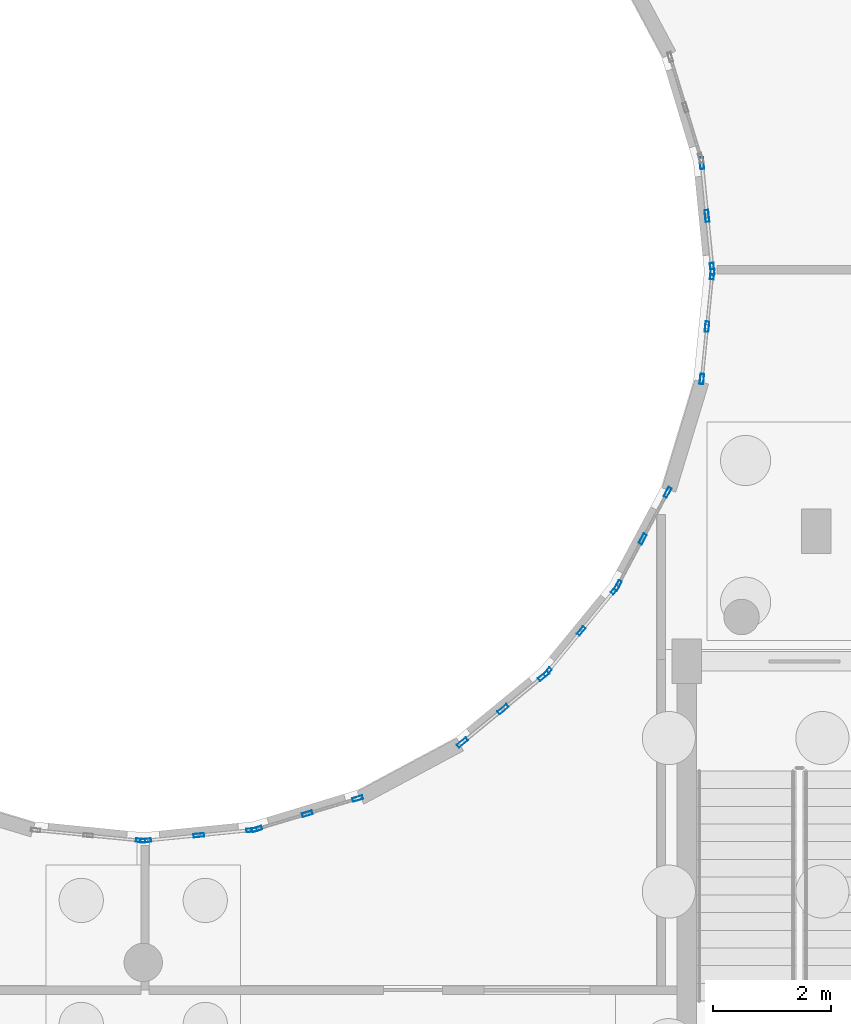
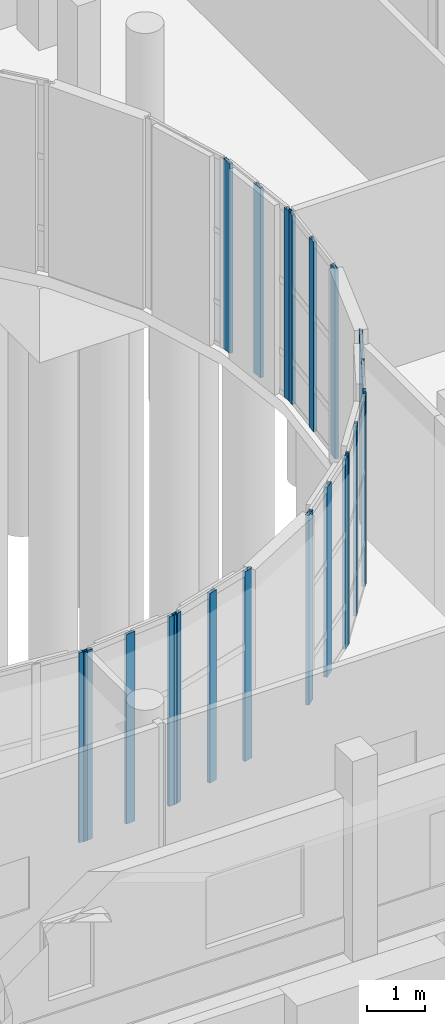
# One storey, part 33 of 93: 22 members, 8 elements without a shape of their own.
"""IFC4 building model written with IfcOpenShell, lengths in metres."""

from ifc_helpers import new_model, si_unit, direction, frame, origin, origin_2d, place, context, subcontext, project, spatial, hollow_rectangle, extrude, material, layer, layer_set, material_profile, profile_set, type_object, element, aggregate, save


model = new_model("IFC4")

# Units and contexts
model_context = context("Model", 3, precision=1e-05, world=origin(), true_north=direction((0.0, 1.0)))
body_context = subcontext(model_context, "Body", "Model", "MODEL_VIEW")
ifc_project = project(units=[si_unit("LENGTHUNIT", "METRE"), si_unit("AREAUNIT", "SQUARE_METRE"), si_unit("VOLUMEUNIT", "CUBIC_METRE"), si_unit("PLANEANGLEUNIT", "RADIAN"), si_unit("MASSUNIT", "GRAM", prefix="KILO")], contexts=[model_context])

# Site, building, storey
site_placement = place(None, origin())
site = spatial("IfcSite", under=ifc_project, at=site_placement, CompositionType="ELEMENT")
building_placement = place(site_placement, origin())
building = spatial("IfcBuilding", under=site, at=building_placement, Name="Kelanivale Promenade Academy", CompositionType="ELEMENT")
storey_placement = place(building_placement, origin())
storey = spatial("IfcBuildingStorey", under=building, at=storey_placement, Name="L00", CompositionType="ELEMENT", Elevation=0.0)

# Curtain wall, member
ifc_material_1 = material(Name="Bronze anodised aluminium and solar-control low-E glass", Category="aluminium")
ifc_layer_1 = layer(ifc_material_1, 0.179931640625)
ifc_layer_set_1 = layer_set([ifc_layer_1], Name="Bronze anodised aluminium and solar-control low-E glass")
curtain_wall_type_1 = type_object("IfcCurtainWallType", Name="CW-17 Curtain Wall 1950mm Module", PredefinedType="USERDEFINED", material=ifc_layer_set_1)
curtain_wall_1_placement = place(storey_placement, origin())
curtain_wall_1 = element("IfcCurtainWall", 1, at=curtain_wall_1_placement, inside=storey, type_object=curtain_wall_type_1, Name="L00 courtyard curtain wall CW-17", ObjectType="COURTYARD SCREEN GLAZING", PredefinedType="USERDEFINED")
ifc_material_2 = material(Name="Bronze anodised aluminium EN AW-6063 T6", Category="aluminium")
ifc_material_profile_1 = material_profile(ifc_material_2, hollow_rectangle(XDim=0.06005859375, YDim=0.159912109375, WallThickness=0.00390625, at=origin_2d()), Name="ALU 60x160x4.0")
ifc_profile_set_1 = profile_set([ifc_material_profile_1], Name="Bronze anodised aluminium EN AW-6063 T6")
member_type_1 = type_object("IfcMemberType", Name="CWM-01 ALU 60x160x4.0", PredefinedType="MULLION", material=ifc_profile_set_1)
member_1_placement = place(storey_placement, frame((98.756103515625, 47.1640625, 0.0), z_axis=(0.0, 0.0, 1.0), x_axis=(0.098538762159, 0.99513321337, 0.0)))
member_1 = element("IfcMember", 2, at=member_1_placement, type_object=member_type_1, Name="CW-17 mullion 3", PredefinedType="MULLION", context=body_context, shape_type="SweptSolid", body=[
    extrude(hollow_rectangle(XDim=0.06005859375, YDim=0.159912109375, WallThickness=0.00390625, at=origin_2d()), origin(), (0.0, 0.0, 1.0), 3.97998046875),
])
aggregate(curtain_wall_1, [member_1])

# Curtain wall, members
ifc_layer_2 = layer(ifc_material_1, 0.159912109375)
ifc_layer_set_2 = layer_set([ifc_layer_2], Name="Bronze anodised aluminium and solar-control low-E glass")
curtain_wall_type_2 = type_object("IfcCurtainWallType", Name="CW-21 Curtain Wall 1650mm Module", PredefinedType="USERDEFINED", material=ifc_layer_set_2)
curtain_wall_2_placement = place(storey_placement, origin())
curtain_wall_2 = element("IfcCurtainWall", 3, at=curtain_wall_2_placement, inside=storey, type_object=curtain_wall_type_2, Name="L00 courtyard curtain wall CW-21", ObjectType="COURTYARD SCREEN GLAZING", PredefinedType="USERDEFINED")
member_2_placement = place(storey_placement, frame((105.64501953125, 50.01611328125, 0.0), z_axis=(0.0, 0.0, 1.0), x_axis=(-0.773215132597, 0.634143799719, 0.0)))
member_2 = element("IfcMember", 4, at=member_2_placement, type_object=member_type_1, Name="CW-21 mullion 1", PredefinedType="MULLION", context=body_context, shape_type="SweptSolid", body=[
    extrude(hollow_rectangle(XDim=0.06005859375, YDim=0.159912109375, WallThickness=0.00390625, at=origin_2d()), origin(), (0.0, 0.0, 1.0), 3.97998046875),
])
member_3_placement = place(storey_placement, frame((106.216552734375, 50.712890625, 0.0), z_axis=(0.0, 0.0, 1.0), x_axis=(-0.773215132597, 0.634143799719, 0.0)))
member_3 = element("IfcMember", 5, at=member_3_placement, type_object=member_type_1, Name="CW-21 mullion 2", PredefinedType="MULLION", context=body_context, shape_type="SweptSolid", body=[
    extrude(hollow_rectangle(XDim=0.06005859375, YDim=0.159912109375, WallThickness=0.00390625, at=origin_2d()), origin(), (0.0, 0.0, 1.0), 3.97998046875),
])
member_4_placement = place(storey_placement, frame((106.7880859375, 51.409912109375, 0.0), z_axis=(0.0, 0.0, 1.0), x_axis=(-0.773215132597, 0.634143799719, 0.0)))
member_4 = element("IfcMember", 6, at=member_4_placement, type_object=member_type_1, Name="CW-21 mullion 3", PredefinedType="MULLION", context=body_context, shape_type="SweptSolid", body=[
    extrude(hollow_rectangle(XDim=0.06005859375, YDim=0.159912109375, WallThickness=0.00390625, at=origin_2d()), origin(), (0.0, 0.0, 1.0), 3.97998046875),
])
aggregate(curtain_wall_2, [member_2, member_3, member_4])

ifc_layer_3 = layer(ifc_material_1, 0.159912109375)
ifc_layer_set_3 = layer_set([ifc_layer_3], Name="Bronze anodised aluminium and solar-control low-E glass")
curtain_wall_type_3 = type_object("IfcCurtainWallType", Name="CW-18 Curtain Wall 1200mm Module", PredefinedType="USERDEFINED", material=ifc_layer_set_3)
curtain_wall_3_placement = place(storey_placement, origin())
curtain_wall_3 = element("IfcCurtainWall", 7, at=curtain_wall_3_placement, inside=storey, type_object=curtain_wall_type_3, Name="L00 courtyard curtain wall CW-18", ObjectType="COURTYARD SCREEN GLAZING", PredefinedType="USERDEFINED")
ifc_material_profile_2 = material_profile(ifc_material_2, hollow_rectangle(XDim=0.06005859375, YDim=0.179931640625, WallThickness=0.00390625, at=origin_2d()), Name="ALU 60x180x4.0")
ifc_profile_set_2 = profile_set([ifc_material_profile_2], Name="Bronze anodised aluminium EN AW-6063 T6")
member_type_2 = type_object("IfcMemberType", Name="CWM-02 ALU 60x180x4.0", PredefinedType="MULLION", material=ifc_profile_set_2)
member_5_placement = place(storey_placement, frame((98.84375, 47.1640625, 0.0), z_axis=(0.0, 0.0, 1.0), x_axis=(-0.098280652454, 0.995158737767, 0.0)))
member_5 = element("IfcMember", 8, at=member_5_placement, type_object=member_type_2, Name="CW-18 mullion 1", PredefinedType="MULLION", context=body_context, shape_type="SweptSolid", body=[
    extrude(hollow_rectangle(XDim=0.06005859375, YDim=0.179931640625, WallThickness=0.00390625, at=origin_2d()), origin(), (0.0, 0.0, 1.0), 3.97998046875),
])
member_6_placement = place(storey_placement, frame((99.740478515625, 47.25244140625, 0.0), z_axis=(0.0, 0.0, 1.0), x_axis=(-0.098280652454, 0.995158737767, 0.0)))
member_6 = element("IfcMember", 9, at=member_6_placement, type_object=member_type_2, Name="CW-18 mullion 2", PredefinedType="MULLION", context=body_context, shape_type="SweptSolid", body=[
    extrude(hollow_rectangle(XDim=0.06005859375, YDim=0.179931640625, WallThickness=0.00390625, at=origin_2d()), origin(), (0.0, 0.0, 1.0), 3.97998046875),
])
member_7_placement = place(storey_placement, frame((100.63720703125, 47.341064453125, 0.0), z_axis=(0.0, 0.0, 1.0), x_axis=(-0.098280652454, 0.995158737767, 0.0)))
member_7 = element("IfcMember", 10, at=member_7_placement, type_object=member_type_2, Name="CW-18 mullion 3", PredefinedType="MULLION", context=body_context, shape_type="SweptSolid", body=[
    extrude(hollow_rectangle(XDim=0.06005859375, YDim=0.179931640625, WallThickness=0.00390625, at=origin_2d()), origin(), (0.0, 0.0, 1.0), 3.97998046875),
])
aggregate(curtain_wall_3, [member_5, member_6, member_7])

ifc_layer_4 = layer(ifc_material_1, 0.169921875)
ifc_layer_set_4 = layer_set([ifc_layer_4], Name="Bronze anodised aluminium and solar-control low-E glass")
curtain_wall_type_4 = type_object("IfcCurtainWallType", Name="CW-22 Curtain Wall 1800mm Module", PredefinedType="USERDEFINED", material=ifc_layer_set_4)
curtain_wall_4_placement = place(storey_placement, origin())
curtain_wall_4 = element("IfcCurtainWall", 11, at=curtain_wall_4_placement, inside=storey, type_object=curtain_wall_type_4, Name="L00 courtyard curtain wall CW-22", ObjectType="COURTYARD SCREEN GLAZING", PredefinedType="USERDEFINED")
member_8_placement = place(storey_placement, frame((106.836181640625, 51.482421875, 0.0), z_axis=(0.0, 0.0, 1.0), x_axis=(-0.881978204448, 0.471290193914, 0.0)))
member_8 = element("IfcMember", 12, at=member_8_placement, type_object=member_type_2, Name="CW-22 mullion 1", PredefinedType="MULLION", context=body_context, shape_type="SweptSolid", body=[
    extrude(hollow_rectangle(XDim=0.06005859375, YDim=0.179931640625, WallThickness=0.00390625, at=origin_2d()), origin(), (0.0, 0.0, 1.0), 3.97998046875),
])
member_9_placement = place(storey_placement, frame((107.257568359375, 52.27099609375, 0.0), z_axis=(0.0, 0.0, 1.0), x_axis=(-0.881978204448, 0.471290193914, 0.0)))
member_9 = element("IfcMember", 13, at=member_9_placement, type_object=member_type_2, Name="CW-22 mullion 2", PredefinedType="MULLION", context=body_context, shape_type="SweptSolid", body=[
    extrude(hollow_rectangle(XDim=0.06005859375, YDim=0.179931640625, WallThickness=0.00390625, at=origin_2d()), origin(), (0.0, 0.0, 1.0), 3.97998046875),
])
member_10_placement = place(storey_placement, frame((107.678955078125, 53.0595703125, 0.0), z_axis=(0.0, 0.0, 1.0), x_axis=(-0.881978204448, 0.471290193914, 0.0)))
member_10 = element("IfcMember", 14, at=member_10_placement, type_object=member_type_2, Name="CW-22 mullion 3", PredefinedType="MULLION", context=body_context, shape_type="SweptSolid", body=[
    extrude(hollow_rectangle(XDim=0.06005859375, YDim=0.179931640625, WallThickness=0.00390625, at=origin_2d()), origin(), (0.0, 0.0, 1.0), 3.97998046875),
])
aggregate(curtain_wall_4, [member_8, member_9, member_10])

ifc_layer_5 = layer(ifc_material_1, 0.169921875)
ifc_layer_set_5 = layer_set([ifc_layer_5], Name="Bronze anodised aluminium and solar-control low-E glass")
curtain_wall_type_5 = type_object("IfcCurtainWallType", Name="CW-19 Curtain Wall 1350mm Module", PredefinedType="USERDEFINED", material=ifc_layer_set_5)
curtain_wall_5_placement = place(storey_placement, origin())
curtain_wall_5 = element("IfcCurtainWall", 15, at=curtain_wall_5_placement, inside=storey, type_object=curtain_wall_type_5, Name="L00 courtyard curtain wall CW-19", ObjectType="COURTYARD SCREEN GLAZING", PredefinedType="USERDEFINED")
ifc_material_profile_3 = material_profile(ifc_material_2, hollow_rectangle(XDim=0.06494140625, YDim=0.175048828125, WallThickness=0.00390625, at=origin_2d()), Name="ALU 65x175x4.0")
ifc_profile_set_3 = profile_set([ifc_material_profile_3], Name="Bronze anodised aluminium EN AW-6063 T6")
member_type_3 = type_object("IfcMemberType", Name="CWM-03 ALU 65x175x4.0", PredefinedType="MULLION", material=ifc_profile_set_3)
member_11_placement = place(storey_placement, frame((100.72509765625, 47.3583984375, 0.0), z_axis=(0.0, 0.0, 1.0), x_axis=(-0.290127576893, 0.956987977524, 0.0)))
member_11 = element("IfcMember", 16, at=member_11_placement, type_object=member_type_3, Name="CW-19 mullion 1", PredefinedType="MULLION", context=body_context, shape_type="SweptSolid", body=[
    extrude(hollow_rectangle(XDim=0.06494140625, YDim=0.175048828125, WallThickness=0.00390625, at=origin_2d()), origin(), (0.0, 0.0, 1.0), 3.97998046875),
])
member_12_placement = place(storey_placement, frame((101.577880859375, 47.616943359375, 0.0), z_axis=(0.0, 0.0, 1.0), x_axis=(-0.290127576893, 0.956987977524, 0.0)))
member_12 = element("IfcMember", 17, at=member_12_placement, type_object=member_type_3, Name="CW-19 mullion 2", PredefinedType="MULLION", context=body_context, shape_type="SweptSolid", body=[
    extrude(hollow_rectangle(XDim=0.06494140625, YDim=0.175048828125, WallThickness=0.00390625, at=origin_2d()), origin(), (0.0, 0.0, 1.0), 3.97998046875),
])
member_13_placement = place(storey_placement, frame((102.430908203125, 47.87548828125, 0.0), z_axis=(0.0, 0.0, 1.0), x_axis=(-0.290127576893, 0.956987977524, 0.0)))
member_13 = element("IfcMember", 18, at=member_13_placement, type_object=member_type_3, Name="CW-19 mullion 3", PredefinedType="MULLION", context=body_context, shape_type="SweptSolid", body=[
    extrude(hollow_rectangle(XDim=0.06494140625, YDim=0.175048828125, WallThickness=0.00390625, at=origin_2d()), origin(), (0.0, 0.0, 1.0), 3.97998046875),
])
aggregate(curtain_wall_5, [member_11, member_12, member_13])

ifc_layer_6 = layer(ifc_material_1, 0.179931640625)
ifc_layer_set_6 = layer_set([ifc_layer_6], Name="Bronze anodised aluminium and solar-control low-E glass")
curtain_wall_type_6 = type_object("IfcCurtainWallType", Name="CW-23 Curtain Wall 1950mm Module", PredefinedType="USERDEFINED", material=ifc_layer_set_6)
curtain_wall_6_placement = place(storey_placement, origin())
curtain_wall_6 = element("IfcCurtainWall", 19, at=curtain_wall_6_placement, inside=storey, type_object=curtain_wall_type_6, Name="L00 courtyard curtain wall CW-23", ObjectType="COURTYARD SCREEN GLAZING", PredefinedType="USERDEFINED")
member_14_placement = place(storey_placement, frame((108.26025390625, 54.980224609375, 0.0), z_axis=(0.0, 0.0, 1.0), x_axis=(-0.99513321337, 0.098538762159, 0.0)))
member_14 = element("IfcMember", 20, at=member_14_placement, type_object=member_type_3, Name="CW-23 mullion 1", PredefinedType="MULLION", context=body_context, shape_type="SweptSolid", body=[
    extrude(hollow_rectangle(XDim=0.06494140625, YDim=0.175048828125, WallThickness=0.00390625, at=origin_2d()), origin(), (0.0, 0.0, 1.0), 3.97998046875),
])
member_15_placement = place(storey_placement, frame((108.347900390625, 55.866943359375, 0.0), z_axis=(0.0, 0.0, 1.0), x_axis=(-0.99513321337, 0.098538762159, 0.0)))
member_15 = element("IfcMember", 21, at=member_15_placement, type_object=member_type_3, Name="CW-23 mullion 2", PredefinedType="MULLION", context=body_context, shape_type="SweptSolid", body=[
    extrude(hollow_rectangle(XDim=0.06494140625, YDim=0.175048828125, WallThickness=0.00390625, at=origin_2d()), origin(), (0.0, 0.0, 1.0), 3.97998046875),
])
member_16_placement = place(storey_placement, frame((108.435791015625, 56.753662109375, 0.0), z_axis=(0.0, 0.0, 1.0), x_axis=(-0.99513321337, 0.098538762159, 0.0)))
member_16 = element("IfcMember", 22, at=member_16_placement, type_object=member_type_3, Name="CW-23 mullion 3", PredefinedType="MULLION", context=body_context, shape_type="SweptSolid", body=[
    extrude(hollow_rectangle(XDim=0.06494140625, YDim=0.175048828125, WallThickness=0.00390625, at=origin_2d()), origin(), (0.0, 0.0, 1.0), 3.97998046875),
])
aggregate(curtain_wall_6, [member_14, member_15, member_16])

ifc_layer_7 = layer(ifc_material_1, 0.179931640625)
ifc_layer_set_7 = layer_set([ifc_layer_7], Name="Bronze anodised aluminium and solar-control low-E glass")
curtain_wall_type_7 = type_object("IfcCurtainWallType", Name="CW-20 Curtain Wall 1500mm Module", PredefinedType="USERDEFINED", material=ifc_layer_set_7)
curtain_wall_7_placement = place(storey_placement, origin())
curtain_wall_7 = element("IfcCurtainWall", 23, at=curtain_wall_7_placement, inside=storey, type_object=curtain_wall_type_7, Name="L00 courtyard curtain wall CW-20", ObjectType="COURTYARD SCREEN GLAZING", PredefinedType="USERDEFINED")
ifc_material_profile_4 = material_profile(ifc_material_2, hollow_rectangle(XDim=0.06494140625, YDim=0.199951171875, WallThickness=0.00439453125, at=origin_2d()), Name="ALU 65x200x4.5")
ifc_profile_set_4 = profile_set([ifc_material_profile_4], Name="Bronze anodised aluminium EN AW-6063 T6")
member_type_4 = type_object("IfcMemberType", Name="CWM-04 ALU 65x200x4.5", PredefinedType="MULLION", material=ifc_profile_set_4)
member_17_placement = place(storey_placement, frame((104.2041015625, 48.823486328125, 0.0), z_axis=(0.0, 0.0, 1.0), x_axis=(-0.634092539482, 0.773257170269, 0.0)))
member_17 = element("IfcMember", 24, at=member_17_placement, type_object=member_type_4, Name="CW-20 mullion 1", PredefinedType="MULLION", context=body_context, shape_type="SweptSolid", body=[
    extrude(hollow_rectangle(XDim=0.06494140625, YDim=0.199951171875, WallThickness=0.00439453125, at=origin_2d()), origin(), (0.0, 0.0, 1.0), 3.97998046875),
])
member_18_placement = place(storey_placement, frame((104.89306640625, 49.388427734375, 0.0), z_axis=(0.0, 0.0, 1.0), x_axis=(-0.634092539482, 0.773257170269, 0.0)))
member_18 = element("IfcMember", 25, at=member_18_placement, type_object=member_type_4, Name="CW-20 mullion 2", PredefinedType="MULLION", context=body_context, shape_type="SweptSolid", body=[
    extrude(hollow_rectangle(XDim=0.06494140625, YDim=0.199951171875, WallThickness=0.00439453125, at=origin_2d()), origin(), (0.0, 0.0, 1.0), 3.97998046875),
])
member_19_placement = place(storey_placement, frame((105.581787109375, 49.953369140625, 0.0), z_axis=(0.0, 0.0, 1.0), x_axis=(-0.634092539482, 0.773257170269, 0.0)))
member_19 = element("IfcMember", 26, at=member_19_placement, type_object=member_type_4, Name="CW-20 mullion 3", PredefinedType="MULLION", context=body_context, shape_type="SweptSolid", body=[
    extrude(hollow_rectangle(XDim=0.06494140625, YDim=0.199951171875, WallThickness=0.00439453125, at=origin_2d()), origin(), (0.0, 0.0, 1.0), 3.97998046875),
])
aggregate(curtain_wall_7, [member_17, member_18, member_19])

ifc_layer_8 = layer(ifc_material_1, 0.159912109375)
ifc_layer_set_8 = layer_set([ifc_layer_8], Name="Bronze anodised aluminium and solar-control low-E glass")
curtain_wall_type_8 = type_object("IfcCurtainWallType", Name="CW-24 Curtain Wall 1200mm Module", PredefinedType="USERDEFINED", material=ifc_layer_set_8)
curtain_wall_8_placement = place(storey_placement, origin())
curtain_wall_8 = element("IfcCurtainWall", 27, at=curtain_wall_8_placement, inside=storey, type_object=curtain_wall_type_8, Name="L00 courtyard curtain wall CW-24", ObjectType="COURTYARD SCREEN GLAZING", PredefinedType="USERDEFINED")
member_20_placement = place(storey_placement, frame((108.435791015625, 56.846435546875, 0.0), z_axis=(0.0, 0.0, 1.0), x_axis=(-0.995158737767, -0.098280652454, 0.0)))
member_20 = element("IfcMember", 28, at=member_20_placement, type_object=member_type_4, Name="CW-24 mullion 1", PredefinedType="MULLION", context=body_context, shape_type="SweptSolid", body=[
    extrude(hollow_rectangle(XDim=0.06494140625, YDim=0.199951171875, WallThickness=0.00439453125, at=origin_2d()), origin(), (0.0, 0.0, 1.0), 3.97998046875),
])
member_21_placement = place(storey_placement, frame((108.347412109375, 57.740478515625, 0.0), z_axis=(0.0, 0.0, 1.0), x_axis=(-0.995158737767, -0.098280652454, 0.0)))
member_21 = element("IfcMember", 29, at=member_21_placement, type_object=member_type_4, Name="CW-24 mullion 2", PredefinedType="MULLION", context=body_context, shape_type="SweptSolid", body=[
    extrude(hollow_rectangle(XDim=0.06494140625, YDim=0.199951171875, WallThickness=0.00439453125, at=origin_2d()), origin(), (0.0, 0.0, 1.0), 3.97998046875),
])
member_22_placement = place(storey_placement, frame((108.25927734375, 58.634765625, 0.0), z_axis=(0.0, 0.0, 1.0), x_axis=(-0.995158737767, -0.098280652454, 0.0)))
member_22 = element("IfcMember", 30, at=member_22_placement, type_object=member_type_4, Name="CW-24 mullion 3", PredefinedType="MULLION", context=body_context, shape_type="SweptSolid", body=[
    extrude(hollow_rectangle(XDim=0.06494140625, YDim=0.199951171875, WallThickness=0.00439453125, at=origin_2d()), origin(), (0.0, 0.0, 1.0), 3.97998046875),
])
aggregate(curtain_wall_8, [member_20, member_21, member_22])

save(model, "model.ifc")
